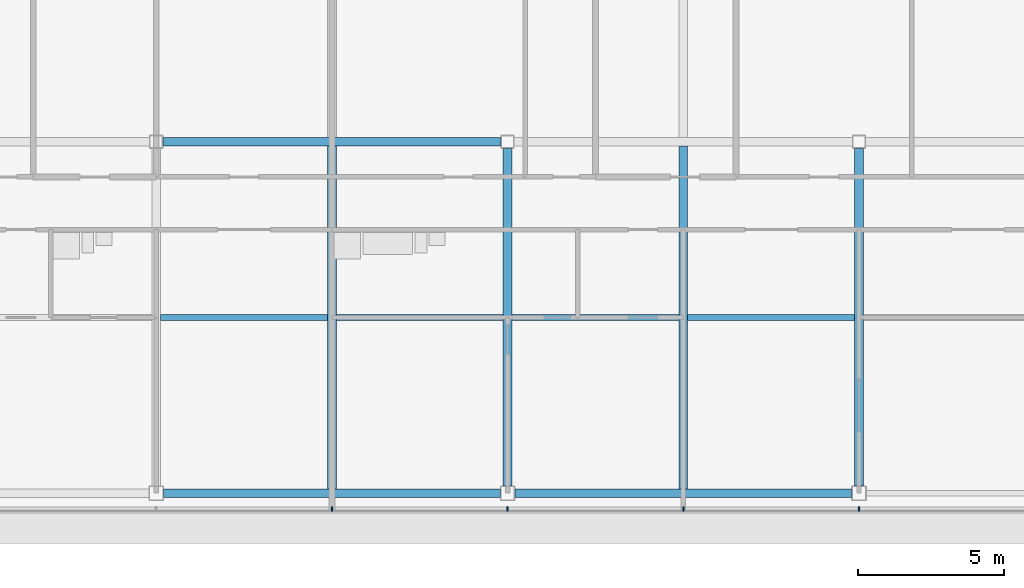
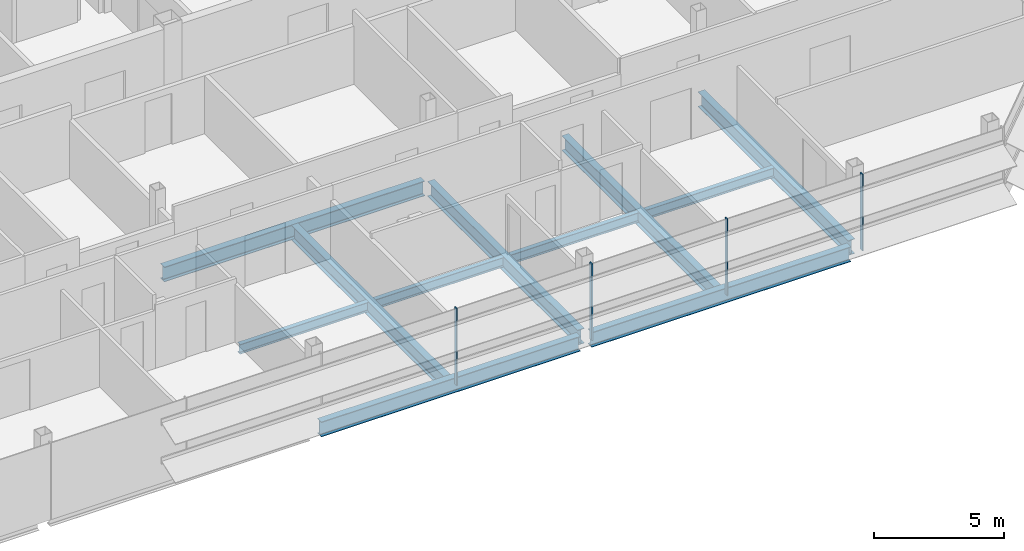
# One storey, part 10 of 27: 11 beams, 4 members, 1 element without a shape of its own.
"""IFC4 building model written with IfcOpenShell, lengths in metres."""

from ifc_helpers import new_model, si_unit, direction, frame, origin, origin_2d, place, context, subcontext, project, spatial, rectangle, i_section, extrude, material, material_profile, profile_set, type_object, element, aggregate, save


model = new_model("IFC4")

# Units and contexts
model_context = context("Model", 3, precision=1e-05, world=origin(), true_north=direction((0.0, 1.0)))
body_context = subcontext(model_context, "Body", "Model", "MODEL_VIEW")
ifc_project = project(units=[si_unit("LENGTHUNIT", "METRE"), si_unit("AREAUNIT", "SQUARE_METRE"), si_unit("VOLUMEUNIT", "CUBIC_METRE"), si_unit("PLANEANGLEUNIT", "RADIAN"), si_unit("MASSUNIT", "GRAM", prefix="KILO")], contexts=[model_context])

# Site, building, storey
site_placement = place(None, origin())
site = spatial("IfcSite", under=ifc_project, at=site_placement, CompositionType="ELEMENT")
building_placement = place(site_placement, origin())
building = spatial("IfcBuilding", under=site, at=building_placement, Name="Sorahane Residences", CompositionType="ELEMENT")
storey_placement = place(building_placement, frame((0.0, 0.0, 323.199951171875)))
storey = spatial("IfcBuildingStorey", under=building, at=storey_placement, Name="L77", CompositionType="ELEMENT", Elevation=323.199951171875)

# Curtain wall, members
ifc_material_1 = material(Name="Dark low-e glass and black anodised aluminium", Category="aluminium")
curtain_wall_type = type_object("IfcCurtainWallType", Name="Curtain wall CW-1 Typical unitised wall", PredefinedType="NOTDEFINED", material=ifc_material_1)
curtain_wall_placement = place(storey_placement, origin())
curtain_wall = element("IfcCurtainWall", 1, at=curtain_wall_placement, inside=storey, type_object=curtain_wall_type, Name="CW-1 curtain wall L77 S1", PredefinedType="NOTDEFINED")
ifc_material_2 = material(Name="Black anodised aluminium", Category="aluminium")
ifc_material_profile_1 = material_profile(ifc_material_2, rectangle(XDim=0.159912109375, YDim=0.050048828125, at=origin_2d()), Name="Curtain wall mullion CW-1 black anodised aluminium 50x160")
ifc_profile_set_1 = profile_set([ifc_material_profile_1], Name="Black anodised aluminium")
member_type = type_object("IfcMemberType", Name="Curtain wall mullion CW-1 black anodised aluminium 50x160", PredefinedType="MULLION", material=ifc_profile_set_1)
member_1_placement = place(storey_placement, frame((18.0, -0.5400390625, -0.179931640625), z_axis=(0.0, 0.0, 1.0), x_axis=(0.0, -1.0, 0.0)))
member_1 = element("IfcMember", 2, at=member_1_placement, type_object=member_type, Name="CW-1 mullion L77 S1.6", PredefinedType="MULLION", context=body_context, shape_type="SweptSolid", body=[
    extrude(rectangle(XDim=0.159912109375, YDim=0.050048828125, at=origin_2d()), origin(), (0.0, 0.0, 1.0), 3.60009765625),
])
member_2_placement = place(storey_placement, frame((24.0, -0.5400390625, -0.179931640625), z_axis=(0.0, 0.0, 1.0), x_axis=(0.0, -1.0, 0.0)))
member_2 = element("IfcMember", 3, at=member_2_placement, type_object=member_type, Name="CW-1 mullion L77 S1.7", PredefinedType="MULLION", context=body_context, shape_type="SweptSolid", body=[
    extrude(rectangle(XDim=0.159912109375, YDim=0.050048828125, at=origin_2d()), origin(), (0.0, 0.0, 1.0), 3.60009765625),
])
member_3_placement = place(storey_placement, frame((30.0, -0.5400390625, -0.179931640625), z_axis=(0.0, 0.0, 1.0), x_axis=(0.0, -1.0, 0.0)))
member_3 = element("IfcMember", 4, at=member_3_placement, type_object=member_type, Name="CW-1 mullion L77 S1.8", PredefinedType="MULLION", context=body_context, shape_type="SweptSolid", body=[
    extrude(rectangle(XDim=0.159912109375, YDim=0.050048828125, at=origin_2d()), origin(), (0.0, 0.0, 1.0), 3.60009765625),
])
member_4_placement = place(storey_placement, frame((36.0, -0.5400390625, -0.179931640625), z_axis=(0.0, 0.0, 1.0), x_axis=(0.0, -1.0, 0.0)))
member_4 = element("IfcMember", 5, at=member_4_placement, type_object=member_type, Name="CW-1 mullion L77 S1.9", PredefinedType="MULLION", context=body_context, shape_type="SweptSolid", body=[
    extrude(rectangle(XDim=0.159912109375, YDim=0.050048828125, at=origin_2d()), origin(), (0.0, 0.0, 1.0), 3.60009765625),
])
aggregate(curtain_wall, [member_1, member_2, member_3, member_4])

# Beams
ifc_material_3 = material(Name="Steel Q355B", Category="steel")
ifc_material_profile_2 = material_profile(ifc_material_3, i_section(OverallWidth=0.199951171875, OverallDepth=0.449951171875, WebThickness=0.009033203125, FlangeThickness=0.013916015625, FilletRadius=0.02001953125, at=origin_2d()), Name="HN 450x200x9x14")
ifc_profile_set_2 = profile_set([ifc_material_profile_2], Name="Steel Q355B")
beam_type_1 = type_object("IfcBeamType", Name="Steel floor beam HN 450x200x9x14 Q355B", PredefinedType="BEAM", material=ifc_profile_set_2)
for number, where, z_axis, x_axis, name in (
    (6, (12.14990234375, 6.0, -0.405029296875), (1.0, 0.0, 0.0), (0.0, 1.0, 0.0), "Beam L77 070"),
    (7, (18.14990234375, 6.0, -0.405029296875), (1.0, 0.0, 0.0), (0.0, 1.0, 0.0), "Beam L77 071"),
    (8, (24.14990234375, 6.0, -0.405029296875), (1.0, 0.0, 0.0), (0.0, 1.0, 0.0), "Beam L77 072"),
    (9, (30.14990234375, 6.0, -0.405029296875), (1.0, 0.0, 0.0), (0.0, 1.0, 0.0), "Beam L77 073"),
):
    element("IfcBeam", number, at=place(storey_placement, frame(where, z_axis=z_axis, x_axis=x_axis)), inside=storey, type_object=beam_type_1, Name=name, PredefinedType="BEAM", context=body_context, shape_type="SweptSolid", body=[
        extrude(i_section(OverallWidth=0.199951171875, OverallDepth=0.449951171875, WebThickness=0.009033203125, FlangeThickness=0.013916015625, FilletRadius=0.02001953125, at=origin_2d()), origin(), (0.0, 0.0, 1.0), 5.7001953125),
    ])
ifc_material_4 = material(Name="Steel Q355B", Category="steel")
ifc_material_profile_3 = material_profile(ifc_material_4, i_section(OverallWidth=0.300048828125, OverallDepth=0.699951171875, WebThickness=0.012939453125, FlangeThickness=0.02392578125, FilletRadius=0.028076171875, at=origin_2d()), Name="HN 700x300x13x24")
ifc_profile_set_3 = profile_set([ifc_material_profile_3], Name="Steel Q355B")
beam_type_2 = type_object("IfcBeamType", Name="Steel floor beam HN 700x300x13x24 Q355B", PredefinedType="BEAM", material=ifc_profile_set_3)
for number, where, z_axis, x_axis, name in (
    (10, (12.25, 0.0, -0.530029296875), (1.0, 0.0, 0.0), (0.0, 1.0, 0.0), "Beam L77 002"),
    (11, (24.25, 0.0, -0.530029296875), (1.0, 0.0, 0.0), (0.0, 1.0, 0.0), "Beam L77 003"),
):
    element("IfcBeam", number, at=place(storey_placement, frame(where, z_axis=z_axis, x_axis=x_axis)), inside=storey, type_object=beam_type_2, Name=name, PredefinedType="BEAM", context=body_context, shape_type="SweptSolid", body=[
        extrude(i_section(OverallWidth=0.300048828125, OverallDepth=0.699951171875, WebThickness=0.012939453125, FlangeThickness=0.02392578125, FilletRadius=0.028076171875, at=origin_2d()), origin(), (0.0, 0.0, 1.0), 11.5),
    ])
beam_1_placement = place(storey_placement, frame((12.22509765625, 12.0, -0.530029296875), z_axis=(1.0, 0.0, 0.0), x_axis=(0.0, 1.0, 0.0)))
element("IfcBeam", 12, at=beam_1_placement, inside=storey, type_object=beam_type_2, Name="Beam L77 008", PredefinedType="BEAM", context=body_context, shape_type="SweptSolid", body=[
    extrude(i_section(OverallWidth=0.300048828125, OverallDepth=0.699951171875, WebThickness=0.012939453125, FlangeThickness=0.02392578125, FilletRadius=0.028076171875, at=origin_2d()), origin(), (0.0, 0.0, 1.0), 11.5498046875),
])
beam_2_placement = place(storey_placement, frame((18.0, 0.14990234375, -0.530029296875), z_axis=(0.0, 1.0, 0.0), x_axis=(-1.0, 0.0, 0.0)))
element("IfcBeam", 13, at=beam_2_placement, inside=storey, type_object=beam_type_2, Name="Beam L77 040", PredefinedType="BEAM", context=body_context, shape_type="SweptSolid", body=[
    extrude(i_section(OverallWidth=0.300048828125, OverallDepth=0.699951171875, WebThickness=0.012939453125, FlangeThickness=0.02392578125, FilletRadius=0.028076171875, at=origin_2d()), origin(), (0.0, 0.0, 1.0), 11.7001953125),
])
beam_3_placement = place(storey_placement, frame((24.0, 0.25, -0.530029296875), z_axis=(0.0, 1.0, 0.0), x_axis=(-1.0, 0.0, 0.0)))
element("IfcBeam", 14, at=beam_3_placement, inside=storey, type_object=beam_type_2, Name="Beam L77 046", PredefinedType="BEAM", context=body_context, shape_type="SweptSolid", body=[
    extrude(i_section(OverallWidth=0.300048828125, OverallDepth=0.699951171875, WebThickness=0.012939453125, FlangeThickness=0.02392578125, FilletRadius=0.028076171875, at=origin_2d()), origin(), (0.0, 0.0, 1.0), 11.52490234375),
])
beam_4_placement = place(storey_placement, frame((30.0, 0.14990234375, -0.530029296875), z_axis=(0.0, 1.0, 0.0), x_axis=(-1.0, 0.0, 0.0)))
element("IfcBeam", 15, at=beam_4_placement, inside=storey, type_object=beam_type_2, Name="Beam L77 048", PredefinedType="BEAM", context=body_context, shape_type="SweptSolid", body=[
    extrude(i_section(OverallWidth=0.300048828125, OverallDepth=0.699951171875, WebThickness=0.012939453125, FlangeThickness=0.02392578125, FilletRadius=0.028076171875, at=origin_2d()), origin(), (0.0, 0.0, 1.0), 11.7001953125),
])
beam_5_placement = place(storey_placement, frame((36.0, 0.25, -0.530029296875), z_axis=(0.0, 1.0, 0.0), x_axis=(-1.0, 0.0, 0.0)))
element("IfcBeam", 16, at=beam_5_placement, inside=storey, type_object=beam_type_2, Name="Beam L77 054", PredefinedType="BEAM", context=body_context, shape_type="SweptSolid", body=[
    extrude(i_section(OverallWidth=0.300048828125, OverallDepth=0.699951171875, WebThickness=0.012939453125, FlangeThickness=0.02392578125, FilletRadius=0.028076171875, at=origin_2d()), origin(), (0.0, 0.0, 1.0), 11.52490234375),
])

save(model, "model.ifc")
